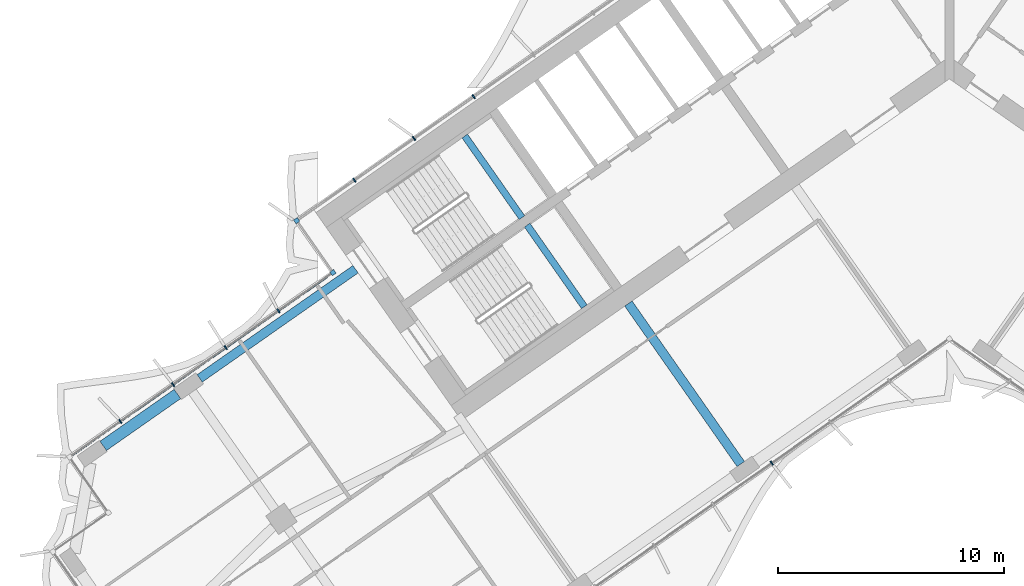
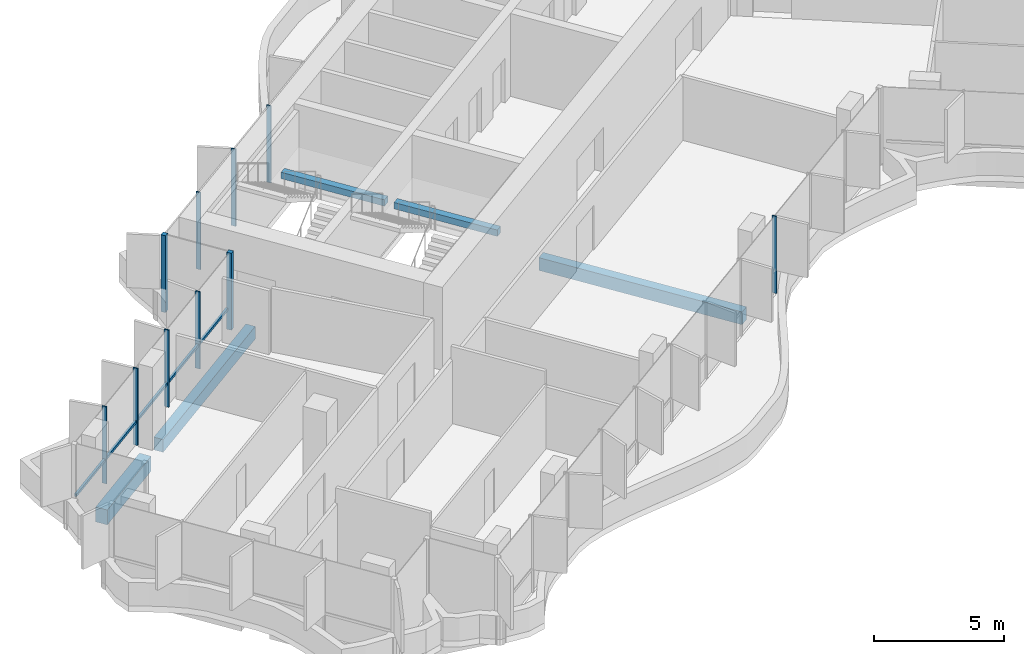
# One storey, part 4 of 22: 11 members, 5 beams, 2 elements without a shape of their own.
"""IFC4 building model written with IfcOpenShell, lengths in metres."""

from ifc_helpers import new_model, si_unit, direction, frame, origin, origin_2d, place, context, subcontext, project, spatial, rectangle, extrude, material, material_profile, profile_set, type_object, element, aggregate, save


model = new_model("IFC4")

# Units and contexts
model_context = context("Model", 3, precision=1e-05, world=origin(), true_north=direction((0.0, 1.0)))
body_context = subcontext(model_context, "Body", "Model", "MODEL_VIEW")
ifc_project = project(units=[si_unit("LENGTHUNIT", "METRE"), si_unit("AREAUNIT", "SQUARE_METRE"), si_unit("VOLUMEUNIT", "CUBIC_METRE"), si_unit("PLANEANGLEUNIT", "RADIAN"), si_unit("MASSUNIT", "GRAM", prefix="KILO")], contexts=[model_context])

# Site, building, storey
site_placement = place(None, origin())
site = spatial("IfcSite", under=ifc_project, at=site_placement, CompositionType="ELEMENT")
building_placement = place(site_placement, origin())
building = spatial("IfcBuilding", under=site, at=building_placement, Name="Tel Ilan Convention Tower", CompositionType="ELEMENT")
storey_placement = place(building_placement, frame((0.0, 0.0, 135.89990234375)))
storey = spatial("IfcBuildingStorey", under=building, at=storey_placement, Name="L30", CompositionType="ELEMENT", Elevation=135.89990234375)

# Beams
ifc_material_1 = material(Name="Concrete C40/50", Category="concrete")
ifc_material_profile_1 = material_profile(ifc_material_1, rectangle(XDim=0.39990234375, YDim=0.60009765625, at=origin_2d()), Name="RC 400x600")
ifc_profile_set_1 = profile_set([ifc_material_profile_1], Name="Concrete C40/50")
beam_type_1 = type_object("IfcBeamType", Name="Beam RC 400x600 Concrete C40/50", PredefinedType="BEAM", material=ifc_profile_set_1)
beam_1_placement = place(storey_placement, frame((-33.09912109375, -14.44775390625, -0.579833984375), z_axis=(0.819147254605, 0.573583276668, 0.0), x_axis=(-0.573583276668, 0.819147254605, 0.0)))
element("IfcBeam", 1, at=beam_1_placement, inside=storey, type_object=beam_type_1, Name="L30 beam W-W-B4-core", PredefinedType="BEAM", context=body_context, shape_type="SweptSolid", body=[
    extrude(rectangle(XDim=0.39990234375, YDim=0.60009765625, at=origin_2d()), origin(), (0.0, 0.0, 1.0), 8.400146484375),
])
beam_2_placement = place(storey_placement, frame((-9.209716796875, -18.229248046875, -0.579833984375), z_axis=(-0.573574099654, 0.819153680457, 0.0), x_axis=(-0.819153680457, -0.573574099654, 0.0)))
element("IfcBeam", 2, at=beam_2_placement, inside=storey, type_object=beam_type_1, Name="L30 beam W-W-F2-core", PredefinedType="BEAM", context=body_context, shape_type="SweptSolid", body=[
    extrude(rectangle(XDim=0.39990234375, YDim=0.60009765625, at=origin_2d()), origin(), (0.0, 0.0, 1.0), 8.64990234375),
])
ifc_material_2 = material(Name="Concrete C40/50", Category="concrete")
ifc_material_profile_2 = material_profile(ifc_material_2, rectangle(XDim=0.5, YDim=0.699951171875, at=origin_2d()), Name="RC 500x700")
ifc_profile_set_2 = profile_set([ifc_material_profile_2], Name="Concrete C40/50")
beam_type_2 = type_object("IfcBeamType", Name="Beam RC 500x700 Concrete C40/50", PredefinedType="BEAM", material=ifc_profile_set_2)
beam_3_placement = place(storey_placement, frame((-37.358642578125, -17.430419921875, -0.6298828125), z_axis=(0.819137286189, 0.573597512525, 0.0), x_axis=(-0.573597512525, 0.819137286189, 0.0)))
element("IfcBeam", 3, at=beam_3_placement, inside=storey, type_object=beam_type_2, Name="L30 beam W-W-BC-W-B4", PredefinedType="BEAM", context=body_context, shape_type="SweptSolid", body=[
    extrude(rectangle(XDim=0.5, YDim=0.699951171875, at=origin_2d()), origin(), (0.0, 0.0, 1.0), 4.0),
])

# Curtain wall, members
ifc_material_3 = material(Name="Aluminium, bronze anodised", Category="aluminium")
curtain_wall_type_1 = type_object("IfcCurtainWallType", Name="CW2 STICK CURTAIN WALL, SPANDREL PANELS", PredefinedType="NOTDEFINED", material=ifc_material_3)
curtain_wall_1_placement = place(storey_placement, origin())
curtain_wall_1 = element("IfcCurtainWall", 4, at=curtain_wall_1_placement, inside=storey, type_object=curtain_wall_type_1, Name="Curtain wall CW2-24.01", PredefinedType="NOTDEFINED")
ifc_material_4 = material(Name="Aluminium, bronze anodised", Category="aluminium")
ifc_material_profile_3 = material_profile(ifc_material_4, rectangle(XDim=0.199951171875, YDim=0.199951171875, at=origin_2d()), Name="CW CORNER MULLION 200x200")
ifc_profile_set_3 = profile_set([ifc_material_profile_3], Name="Aluminium, bronze anodised")
member_type_1 = type_object("IfcMemberType", Name="CW CORNER MULLION 200x200", PredefinedType="MULLION", material=ifc_profile_set_3)
member_1_placement = place(storey_placement, frame((-28.819580078125, -7.483642578125, 0.0), z_axis=(0.0, 0.0, 1.0), x_axis=(-0.819152044289, -0.573576436351, 0.0)))
member_1 = element("IfcMember", 5, at=member_1_placement, type_object=member_type_1, Name="Corner mullion", PredefinedType="MULLION", context=body_context, shape_type="SweptSolid", body=[
    extrude(rectangle(XDim=0.199951171875, YDim=0.199951171875, at=origin_2d()), origin(), (0.0, 0.0, 1.0), 3.6201171875),
])
member_2_placement = place(storey_placement, frame((-27.213623046875, -9.77734375, 0.0), z_axis=(0.0, 0.0, 1.0), x_axis=(0.573576436351, -0.819152044289, 0.0)))
member_2 = element("IfcMember", 6, at=member_2_placement, type_object=member_type_1, Name="Corner mullion", PredefinedType="MULLION", context=body_context, shape_type="SweptSolid", body=[
    extrude(rectangle(XDim=0.199951171875, YDim=0.199951171875, at=origin_2d()), origin(), (0.0, 0.0, 1.0), 3.6201171875),
])
ifc_material_5 = material(Name="Aluminium, bronze anodised", Category="aluminium")
ifc_material_profile_4 = material_profile(ifc_material_5, rectangle(XDim=0.06005859375, YDim=0.199951171875, at=origin_2d()), Name="CW MULLION 60x200")
ifc_profile_set_4 = profile_set([ifc_material_profile_4], Name="Aluminium, bronze anodised")
member_type_2 = type_object("IfcMemberType", Name="CW MULLION 60x200", PredefinedType="MULLION", material=ifc_profile_set_4)
member_3_placement = place(storey_placement, frame((-21.003662109375, -2.0107421875, 0.0), z_axis=(0.0, 0.0, 1.0), x_axis=(-0.819152044289, -0.573576436351, 0.0)))
member_3 = element("IfcMember", 7, at=member_3_placement, type_object=member_type_2, Name="Mullion", PredefinedType="MULLION", context=body_context, shape_type="SweptSolid", body=[
    extrude(rectangle(XDim=0.06005859375, YDim=0.199951171875, at=origin_2d()), origin(), (0.0, 0.0, 1.0), 3.6201171875),
])
member_4_placement = place(storey_placement, frame((-23.63623046875, -3.854248046875, 0.0), z_axis=(0.0, 0.0, 1.0), x_axis=(-0.819152044289, -0.573576436351, 0.0)))
member_4 = element("IfcMember", 8, at=member_4_placement, type_object=member_type_2, Name="Mullion", PredefinedType="MULLION", context=body_context, shape_type="SweptSolid", body=[
    extrude(rectangle(XDim=0.06005859375, YDim=0.199951171875, at=origin_2d()), origin(), (0.0, 0.0, 1.0), 3.6201171875),
])
member_5_placement = place(storey_placement, frame((-26.268798828125, -5.697509765625, 0.0), z_axis=(0.0, 0.0, 1.0), x_axis=(-0.819152044289, -0.573576436351, 0.0)))
member_5 = element("IfcMember", 9, at=member_5_placement, type_object=member_type_2, Name="Mullion", PredefinedType="MULLION", context=body_context, shape_type="SweptSolid", body=[
    extrude(rectangle(XDim=0.06005859375, YDim=0.199951171875, at=origin_2d()), origin(), (0.0, 0.0, 1.0), 3.6201171875),
])
aggregate(curtain_wall_1, [member_3, member_4, member_5, member_1, member_2])

ifc_material_6 = material(Name="Aluminium, bronze anodised", Category="aluminium")
curtain_wall_type_2 = type_object("IfcCurtainWallType", Name="CW4 STICK CURTAIN WALL, OFFICE TINTED GLASS", PredefinedType="NOTDEFINED", material=ifc_material_6)
curtain_wall_2_placement = place(storey_placement, origin())
curtain_wall_2 = element("IfcCurtainWall", 10, at=curtain_wall_2_placement, inside=storey, type_object=curtain_wall_type_2, Name="Curtain wall CW4-24.02", PredefinedType="NOTDEFINED")
member_6_placement = place(storey_placement, frame((-29.621826171875, -11.463623046875, 0.0), z_axis=(0.0, 0.0, 1.0), x_axis=(-0.819152044289, -0.573576436351, 0.0)))
member_6 = element("IfcMember", 11, at=member_6_placement, type_object=member_type_2, Name="Mullion", PredefinedType="MULLION", context=body_context, shape_type="SweptSolid", body=[
    extrude(rectangle(XDim=0.06005859375, YDim=0.199951171875, at=origin_2d()), origin(), (0.0, 0.0, 1.0), 3.6201171875),
])
member_7_placement = place(storey_placement, frame((-31.9482421875, -13.092529296875, 0.0), z_axis=(0.0, 0.0, 1.0), x_axis=(-0.819152044289, -0.573576436351, 0.0)))
member_7 = element("IfcMember", 12, at=member_7_placement, type_object=member_type_2, Name="Mullion", PredefinedType="MULLION", context=body_context, shape_type="SweptSolid", body=[
    extrude(rectangle(XDim=0.06005859375, YDim=0.199951171875, at=origin_2d()), origin(), (0.0, 0.0, 1.0), 3.6201171875),
])
member_8_placement = place(storey_placement, frame((-34.274658203125, -14.721435546875, 0.0), z_axis=(0.0, 0.0, 1.0), x_axis=(-0.819152044289, -0.573576436351, 0.0)))
member_8 = element("IfcMember", 13, at=member_8_placement, type_object=member_type_2, Name="Mullion", PredefinedType="MULLION", context=body_context, shape_type="SweptSolid", body=[
    extrude(rectangle(XDim=0.06005859375, YDim=0.199951171875, at=origin_2d()), origin(), (0.0, 0.0, 1.0), 3.6201171875),
])
member_9_placement = place(storey_placement, frame((-36.60107421875, -16.350341796875, 0.0), z_axis=(0.0, 0.0, 1.0), x_axis=(-0.819152044289, -0.573576436351, 0.0)))
member_9 = element("IfcMember", 14, at=member_9_placement, type_object=member_type_2, Name="Mullion", PredefinedType="MULLION", context=body_context, shape_type="SweptSolid", body=[
    extrude(rectangle(XDim=0.06005859375, YDim=0.199951171875, at=origin_2d()), origin(), (0.0, 0.0, 1.0), 3.6201171875),
])
member_10_placement = place(storey_placement, frame((-7.842529296875, -18.1875, 0.0), z_axis=(0.0, 0.0, 1.0), x_axis=(0.819152044289, 0.573576436351, 0.0)))
member_10 = element("IfcMember", 15, at=member_10_placement, type_object=member_type_2, Name="Mullion", PredefinedType="MULLION", context=body_context, shape_type="SweptSolid", body=[
    extrude(rectangle(XDim=0.06005859375, YDim=0.199951171875, at=origin_2d()), origin(), (0.0, 0.0, 1.0), 3.6201171875),
])
ifc_material_7 = material(Name="Aluminium, bronze anodised", Category="aluminium")
ifc_material_profile_5 = material_profile(ifc_material_7, rectangle(XDim=0.10009765625, YDim=0.1201171875, at=origin_2d()), Name="CW TRANSOM 100x120")
ifc_profile_set_5 = profile_set([ifc_material_profile_5], Name="Aluminium, bronze anodised")
member_type_3 = type_object("IfcMemberType", Name="CW TRANSOM 100x120", PredefinedType="USERDEFINED", material=ifc_profile_set_5)
member_11_placement = place(storey_placement, frame((-27.459228515625, -9.94921875, 1.10009765625), z_axis=(-0.819149630799, -0.573579883156, 0.0), x_axis=(0.573579883156, -0.819149630799, 0.0)))
member_11 = element("IfcMember", 16, at=member_11_placement, type_object=member_type_3, Name="Transom", ObjectType="TRANSOM", PredefinedType="USERDEFINED", context=body_context, shape_type="SweptSolid", body=[
    extrude(rectangle(XDim=0.10009765625, YDim=0.1201171875, at=origin_2d()), origin(), (0.0, 0.0, 1.0), 13.80029296875),
])
aggregate(curtain_wall_2, [member_6, member_7, member_8, member_9, member_11, member_10])

# Beams
ifc_material_8 = material(Name="Concrete C40/50", Category="concrete")
ifc_material_profile_6 = material_profile(ifc_material_8, rectangle(XDim=0.300048828125, YDim=0.300048828125, at=origin_2d()), Name="RC 300x300")
ifc_profile_set_6 = profile_set([ifc_material_profile_6], Name="Concrete C40/50")
beam_type_3 = type_object("IfcBeamType", Name="Landing Beam RC 300x300 Concrete C40/50", PredefinedType="BEAM", material=ifc_profile_set_6)
beam_4_placement = place(storey_placement, frame((-18.870361328125, -7.353515625, 1.60009765625), z_axis=(-0.57354426506, 0.819174569928, 0.0), x_axis=(-0.819174569928, -0.57354426506, 0.0)))
element("IfcBeam", 17, at=beam_4_placement, inside=storey, type_object=beam_type_3, Name="S1 landing beam L30.1", PredefinedType="BEAM", context=body_context, shape_type="SweptSolid", body=[
    extrude(rectangle(XDim=0.300048828125, YDim=0.300048828125, at=origin_2d()), origin(), (0.0, 0.0, 1.0), 4.400146484375),
])
beam_5_placement = place(storey_placement, frame((-16.1171875, -11.285400390625, 1.60009765625), z_axis=(-0.573570334442, 0.819156316858, 0.0), x_axis=(-0.819156316858, -0.573570334442, 0.0)))
element("IfcBeam", 18, at=beam_5_placement, inside=storey, type_object=beam_type_3, Name="S2 landing beam L30.1", PredefinedType="BEAM", context=body_context, shape_type="SweptSolid", body=[
    extrude(rectangle(XDim=0.300048828125, YDim=0.300048828125, at=origin_2d()), origin(), (0.0, 0.0, 1.0), 4.39990234375),
])

save(model, "model.ifc")
